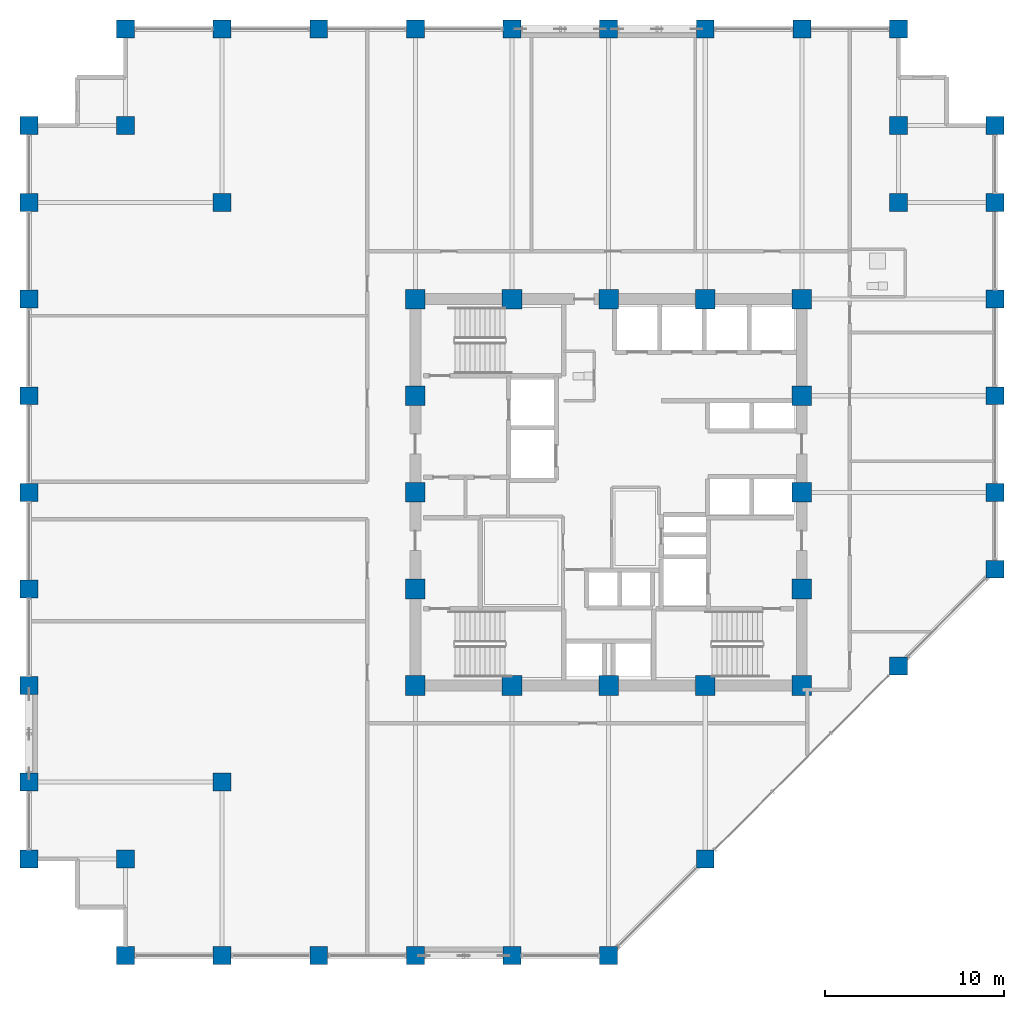
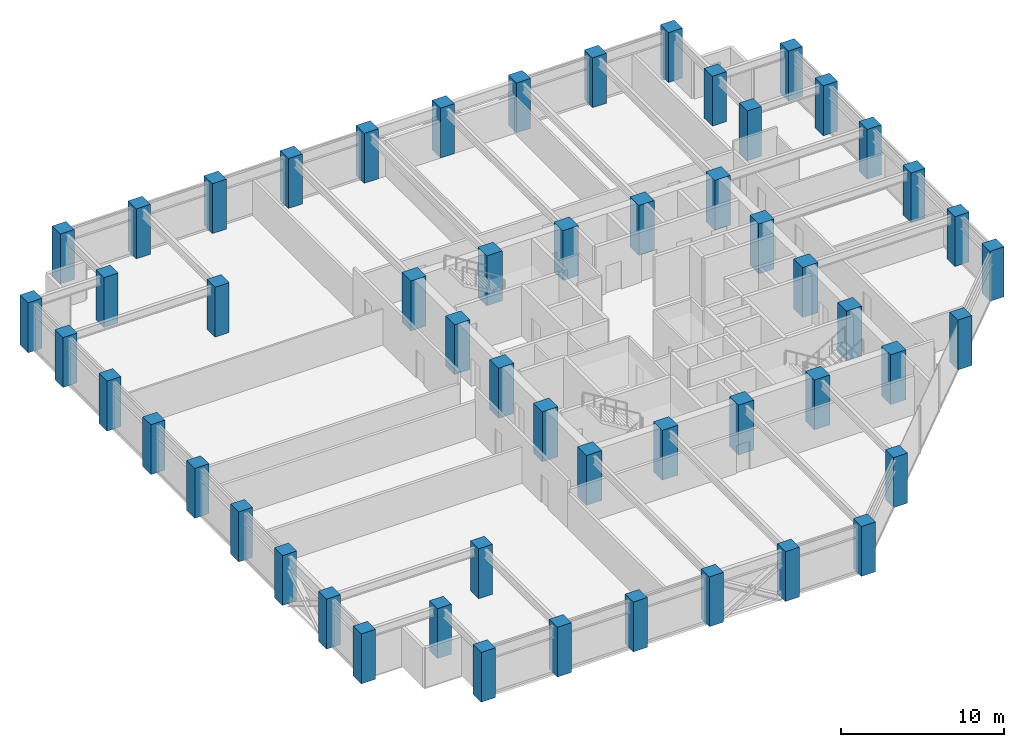
# One storey, part 1 of 23: 54 columns.
"""IFC4 building model written with IfcOpenShell, lengths in metres."""

from ifc_helpers import new_model, si_unit, direction, frame, origin, origin_2d, place, context, subcontext, project, spatial, rectangle, extrude, material, material_profile, profile_set, type_object, element, save


model = new_model("IFC4")

# Units and contexts
model_context = context("Model", 3, precision=1e-05, world=origin(), true_north=direction((0.0, 1.0)))
body_context = subcontext(model_context, "Body", "Model", "MODEL_VIEW")
ifc_project = project(units=[si_unit("LENGTHUNIT", "METRE"), si_unit("AREAUNIT", "SQUARE_METRE"), si_unit("VOLUMEUNIT", "CUBIC_METRE"), si_unit("PLANEANGLEUNIT", "RADIAN"), si_unit("MASSUNIT", "GRAM", prefix="KILO")], contexts=[model_context])

# Site, building, storey
site_placement = place(None, origin())
site = spatial("IfcSite", under=ifc_project, at=site_placement, CompositionType="ELEMENT")
building_placement = place(site_placement, origin())
building = spatial("IfcBuilding", under=site, at=building_placement, Name="Surkhivell Harbour Commons", CompositionType="ELEMENT")
storey_placement = place(building_placement, frame((0.0, 0.0, 128.25)))
storey = spatial("IfcBuildingStorey", under=building, at=storey_placement, Name="L33", CompositionType="ELEMENT", Elevation=128.25)

# Columns
ifc_material = material(Name="Concrete C60/75", Category="concrete")
ifc_material_profile_1 = material_profile(ifc_material, rectangle(XDim=1.10009765625, YDim=1.10009765625, at=origin_2d()), Name="RC-COL-1100x1100")
ifc_profile_set_1 = profile_set([ifc_material_profile_1], Name="Concrete C60/75")
column_type_1 = type_object("IfcColumnType", Name="COL-TUBE-Z2A", PredefinedType="COLUMN", material=ifc_profile_set_1)
for number, where, z_axis, x_axis, name in (
    (1, (-10.800048828125, -10.800048828125, 0.0), (0.0, 0.0, 1.0), (1.0, 0.0, 0.0), "L33 Column CT-2A (-10.8,-10.8)"),
    (2, (-10.800048828125, -5.39990234375, 0.0), (0.0, 0.0, 1.0), (1.0, 0.0, 0.0), "L33 Column CT-2A (-10.8,-5.4)"),
    (3, (-10.800048828125, 0.0, 0.0), (0.0, 0.0, 1.0), (1.0, 0.0, 0.0), "L33 Column CT-2A (-10.8,0.0)"),
    (4, (-10.800048828125, 5.39990234375, 0.0), (0.0, 0.0, 1.0), (1.0, 0.0, 0.0), "L33 Column CT-2A (-10.8,5.4)"),
    (5, (-10.800048828125, 10.800048828125, 0.0), (0.0, 0.0, 1.0), (1.0, 0.0, 0.0), "L33 Column CT-2A (-10.8,10.8)"),
    (6, (-5.39990234375, -10.800048828125, 0.0), (0.0, 0.0, 1.0), (1.0, 0.0, 0.0), "L33 Column CT-2A (-5.4,-10.8)"),
    (7, (-5.39990234375, 10.800048828125, 0.0), (0.0, 0.0, 1.0), (1.0, 0.0, 0.0), "L33 Column CT-2A (-5.4,10.8)"),
    (8, (0.0, -10.800048828125, 0.0), (0.0, 0.0, 1.0), (1.0, 0.0, 0.0), "L33 Column CT-2A (0.0,-10.8)"),
    (9, (0.0, 10.800048828125, 0.0), (0.0, 0.0, 1.0), (1.0, 0.0, 0.0), "L33 Column CT-2A (0.0,10.8)"),
    (10, (5.39990234375, -10.800048828125, 0.0), (0.0, 0.0, 1.0), (1.0, 0.0, 0.0), "L33 Column CT-2A (5.4,-10.8)"),
    (11, (5.39990234375, 10.800048828125, 0.0), (0.0, 0.0, 1.0), (1.0, 0.0, 0.0), "L33 Column CT-2A (5.4,10.8)"),
    (12, (10.800048828125, -10.800048828125, 0.0), (0.0, 0.0, 1.0), (1.0, 0.0, 0.0), "L33 Column CT-2A (10.8,-10.8)"),
    (13, (10.800048828125, -5.39990234375, 0.0), (0.0, 0.0, 1.0), (1.0, 0.0, 0.0), "L33 Column CT-2A (10.8,-5.4)"),
    (14, (10.800048828125, 0.0, 0.0), (0.0, 0.0, 1.0), (1.0, 0.0, 0.0), "L33 Column CT-2A (10.8,0.0)"),
    (15, (10.800048828125, 5.39990234375, 0.0), (0.0, 0.0, 1.0), (1.0, 0.0, 0.0), "L33 Column CT-2A (10.8,5.4)"),
    (16, (10.800048828125, 10.800048828125, 0.0), (0.0, 0.0, 1.0), (1.0, 0.0, 0.0), "L33 Column CT-2A (10.8,10.8)"),
):
    element("IfcColumn", number, at=place(storey_placement, frame(where, z_axis=z_axis, x_axis=x_axis)), inside=storey, type_object=column_type_1, Name=name, PredefinedType="COLUMN", context=body_context, shape_type="SweptSolid", body=[
        extrude(rectangle(XDim=1.10009765625, YDim=1.10009765625, at=origin_2d()), origin(), (0.0, 0.0, 1.0), 3.75),
    ])
ifc_material_profile_2 = material_profile(ifc_material, rectangle(XDim=1.0, YDim=1.0, at=origin_2d()), Name="RC-COL-1000x1000")
ifc_profile_set_2 = profile_set([ifc_material_profile_2], Name="Concrete C60/75")
column_type_2 = type_object("IfcColumnType", Name="COL-TUBE-Z2B", PredefinedType="COLUMN", material=ifc_profile_set_2)
for number, where, z_axis, x_axis, name in (
    (17, (-32.39990234375, -20.5, 0.0), (0.0, 0.0, 1.0), (1.0, 0.0, 0.0), "L33 Column CT-2B (-32.4,-20.5)"),
    (18, (-32.39990234375, -16.199951171875, 0.0), (0.0, 0.0, 1.0), (1.0, 0.0, 0.0), "L33 Column CT-2B (-32.4,-16.2)"),
    (19, (-32.39990234375, -10.800048828125, 0.0), (0.0, 0.0, 1.0), (1.0, 0.0, 0.0), "L33 Column CT-2B (-32.4,-10.8)"),
    (20, (-32.39990234375, -5.39990234375, 0.0), (0.0, 0.0, 1.0), (1.0, 0.0, 0.0), "L33 Column CT-2B (-32.4,-5.4)"),
    (21, (-32.39990234375, 0.0, 0.0), (0.0, 0.0, 1.0), (1.0, 0.0, 0.0), "L33 Column CT-2B (-32.4,0.0)"),
    (22, (-32.39990234375, 5.39990234375, 0.0), (0.0, 0.0, 1.0), (1.0, 0.0, 0.0), "L33 Column CT-2B (-32.4,5.4)"),
    (23, (-32.39990234375, 10.800048828125, 0.0), (0.0, 0.0, 1.0), (1.0, 0.0, 0.0), "L33 Column CT-2B (-32.4,10.8)"),
    (24, (-32.39990234375, 16.199951171875, 0.0), (0.0, 0.0, 1.0), (1.0, 0.0, 0.0), "L33 Column CT-2B (-32.4,16.2)"),
    (25, (-32.39990234375, 20.5, 0.0), (0.0, 0.0, 1.0), (1.0, 0.0, 0.0), "L33 Column CT-2B (-32.4,20.5)"),
    (26, (-27.0, -25.89990234375, 0.0), (0.0, 0.0, 1.0), (1.0, 0.0, 0.0), "L33 Column CT-2B (-27.0,-25.9)"),
    (27, (-27.0, -20.5, 0.0), (0.0, 0.0, 1.0), (1.0, 0.0, 0.0), "L33 Column CT-2B (-27.0,-20.5)"),
    (28, (-27.0, 20.5, 0.0), (0.0, 0.0, 1.0), (1.0, 0.0, 0.0), "L33 Column CT-2B (-27.0,20.5)"),
    (29, (-27.0, 25.89990234375, 0.0), (0.0, 0.0, 1.0), (1.0, 0.0, 0.0), "L33 Column CT-2B (-27.0,25.9)"),
    (30, (-21.60009765625, -25.89990234375, 0.0), (0.0, 0.0, 1.0), (1.0, 0.0, 0.0), "L33 Column CT-2B (-21.6,-25.9)"),
    (31, (-21.60009765625, -16.199951171875, 0.0), (0.0, 0.0, 1.0), (1.0, 0.0, 0.0), "L33 Column CT-2B (-21.6,-16.2)"),
    (32, (-21.60009765625, 16.199951171875, 0.0), (0.0, 0.0, 1.0), (1.0, 0.0, 0.0), "L33 Column CT-2B (-21.6,16.2)"),
    (33, (-21.60009765625, 25.89990234375, 0.0), (0.0, 0.0, 1.0), (1.0, 0.0, 0.0), "L33 Column CT-2B (-21.6,25.9)"),
    (34, (-16.199951171875, -25.89990234375, 0.0), (0.0, 0.0, 1.0), (1.0, 0.0, 0.0), "L33 Column CT-2B (-16.2,-25.9)"),
    (35, (-16.199951171875, 25.89990234375, 0.0), (0.0, 0.0, 1.0), (1.0, 0.0, 0.0), "L33 Column CT-2B (-16.2,25.9)"),
    (36, (-10.800048828125, -25.89990234375, 0.0), (0.0, 0.0, 1.0), (1.0, 0.0, 0.0), "L33 Column CT-2B (-10.8,-25.9)"),
    (37, (-10.800048828125, 25.89990234375, 0.0), (0.0, 0.0, 1.0), (1.0, 0.0, 0.0), "L33 Column CT-2B (-10.8,25.9)"),
    (38, (-5.39990234375, -25.89990234375, 0.0), (0.0, 0.0, 1.0), (1.0, 0.0, 0.0), "L33 Column CT-2B (-5.4,-25.9)"),
    (39, (-5.39990234375, 25.89990234375, 0.0), (0.0, 0.0, 1.0), (1.0, 0.0, 0.0), "L33 Column CT-2B (-5.4,25.9)"),
    (40, (0.0, -25.89990234375, 0.0), (0.0, 0.0, 1.0), (1.0, 0.0, 0.0), "L33 Column CT-2B (-0.0,-25.9)"),
    (41, (0.0, 25.89990234375, 0.0), (0.0, 0.0, 1.0), (1.0, 0.0, 0.0), "L33 Column CT-2B (-0.0,25.9)"),
    (42, (5.39990234375, -20.5, 0.0), (0.0, 0.0, 1.0), (1.0, 0.0, 0.0), "L33 Column CT-2B (5.4,-20.5)"),
    (43, (5.39990234375, 25.89990234375, 0.0), (0.0, 0.0, 1.0), (1.0, 0.0, 0.0), "L33 Column CT-2B (5.4,25.9)"),
    (44, (10.800048828125, 25.89990234375, 0.0), (0.0, 0.0, 1.0), (1.0, 0.0, 0.0), "L33 Column CT-2B (10.8,25.9)"),
    (45, (16.199951171875, -9.699951171875, 0.0), (0.0, 0.0, 1.0), (1.0, 0.0, 0.0), "L33 Column CT-2B (16.2,-9.7)"),
    (46, (16.199951171875, 16.199951171875, 0.0), (0.0, 0.0, 1.0), (1.0, 0.0, 0.0), "L33 Column CT-2B (16.2,16.2)"),
    (47, (16.199951171875, 20.5, 0.0), (0.0, 0.0, 1.0), (1.0, 0.0, 0.0), "L33 Column CT-2B (16.2,20.5)"),
    (48, (16.199951171875, 25.89990234375, 0.0), (0.0, 0.0, 1.0), (1.0, 0.0, 0.0), "L33 Column CT-2B (16.2,25.9)"),
    (49, (21.60009765625, -4.300048828125, 0.0), (0.0, 0.0, 1.0), (1.0, 0.0, 0.0), "L33 Column CT-2B (21.6,-4.3)"),
    (50, (21.60009765625, 0.0, 0.0), (0.0, 0.0, 1.0), (1.0, 0.0, 0.0), "L33 Column CT-2B (21.6,0.0)"),
    (51, (21.60009765625, 5.39990234375, 0.0), (0.0, 0.0, 1.0), (1.0, 0.0, 0.0), "L33 Column CT-2B (21.6,5.4)"),
    (52, (21.60009765625, 10.800048828125, 0.0), (0.0, 0.0, 1.0), (1.0, 0.0, 0.0), "L33 Column CT-2B (21.6,10.8)"),
    (53, (21.60009765625, 16.199951171875, 0.0), (0.0, 0.0, 1.0), (1.0, 0.0, 0.0), "L33 Column CT-2B (21.6,16.2)"),
    (54, (21.60009765625, 20.5, 0.0), (0.0, 0.0, 1.0), (1.0, 0.0, 0.0), "L33 Column CT-2B (21.6,20.5)"),
):
    element("IfcColumn", number, at=place(storey_placement, frame(where, z_axis=z_axis, x_axis=x_axis)), inside=storey, type_object=column_type_2, Name=name, PredefinedType="COLUMN", context=body_context, shape_type="SweptSolid", body=[
        extrude(rectangle(XDim=1.0, YDim=1.0, at=origin_2d()), origin(), (0.0, 0.0, 1.0), 3.75),
    ])

save(model, "model.ifc")
